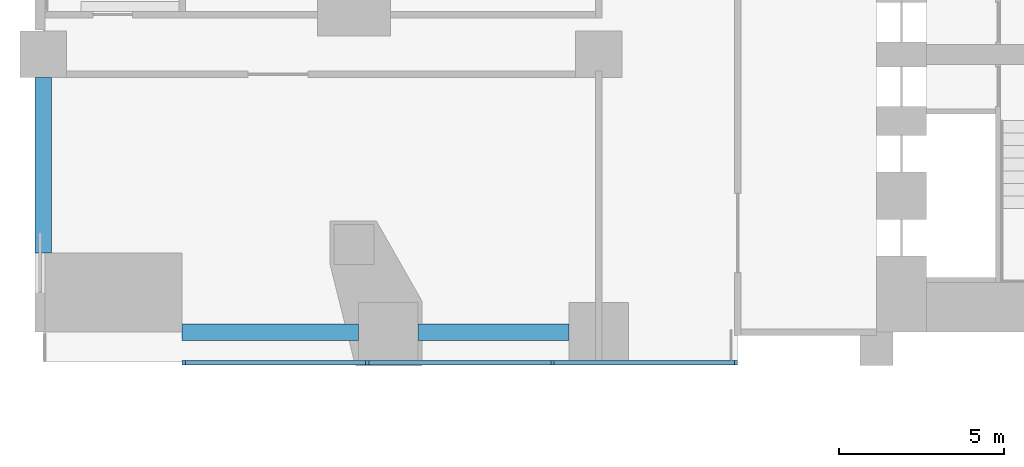
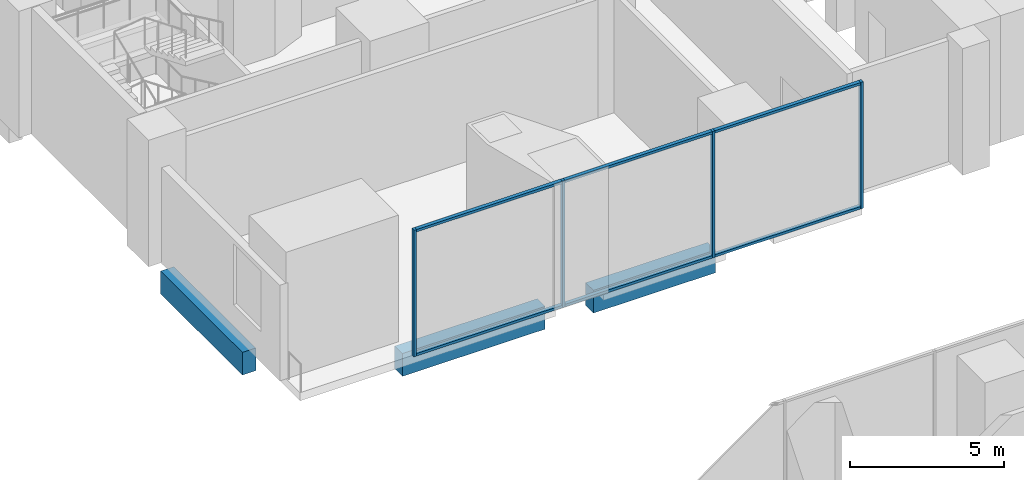
# One storey, part 3 of 24: 10 members, 3 beams, 1 element without a shape of its own.
"""IFC4 building model written with IfcOpenShell, lengths in metres."""

import ifcopenshell
import ifcopenshell.guid

model = None  # the IFC model being written
_history = None  # IfcOwnerHistory: only IFC2X3 demands one
_inside = {}  # id of a spatial element -> (the spatial element, [elements in it])
_under = {}  # id of a project, library or spatial element -> (it, [spatial elements below it])
_declared = {}  # id of a project -> (the project, [libraries it declares])
_typed = {}  # id of a type object -> (the type object, [elements of that type])
_made_of = {}  # id of a material, layer set ... -> (it, [elements and type objects made of it])


def new_model(schema):
    """Start an empty IFC model of exactly this schema.

    Asked for "IFC4X3", IfcOpenShell would pick the latest addendum, in which some entities
    have other attributes; the version numbers below select the first issue.
    IFC2X3 requires an IfcOwnerHistory on every rooted entity: one is made here for all.
    """
    global model, _history
    if schema == "IFC4X3":
        model = ifcopenshell.file(schema_version=(4, 3, 0, 0))
    else:
        model = ifcopenshell.file(schema=schema)
    _inside.clear()
    _under.clear()
    _declared.clear()
    _typed.clear()
    _made_of.clear()
    _history = None
    if model.schema == "IFC2X3":
        org = make("IfcOrganization", Name="unknown")
        user = make(
            "IfcPersonAndOrganization",
            ThePerson=make("IfcPerson", FamilyName="unknown"),
            TheOrganization=org,
        )
        app = make(
            "IfcApplication",
            ApplicationDeveloper=org,
            Version="unknown",
            ApplicationFullName="unknown",
            ApplicationIdentifier="unknown",
        )
        _history = make(
            "IfcOwnerHistory",
            OwningUser=user,
            OwningApplication=app,
            ChangeAction="ADDED",
            CreationDate=0,
        )
    return model


def make(cls, **values):
    """One entity of the class cls with the attributes given. An attribute that is None is left unset."""
    return model.create_entity(
        cls, **{name: value for name, value in values.items() if value is not None}
    )


def rooted(cls, **values):
    """An entity with a GlobalId (a new one), such as an element, a storey or a relation."""
    return make(cls, GlobalId=ifcopenshell.guid.new(), OwnerHistory=_history, **values)


def si_unit(unit_type, name, prefix=None):
    """IfcSIUnit, for example si_unit("LENGTHUNIT", "METRE", prefix="MILLI")."""
    return make("IfcSIUnit", UnitType=unit_type, Prefix=prefix, Name=name)


def assignment(units):
    """IfcUnitAssignment: the units of a project."""
    return None if units is None else make("IfcUnitAssignment", Units=units)


def point(xyz):
    """IfcCartesianPoint."""
    return None if xyz is None else make("IfcCartesianPoint", Coordinates=xyz)


def direction(xyz):
    """IfcDirection."""
    return None if xyz is None else make("IfcDirection", DirectionRatios=xyz)


def frame(location, z_axis=None, x_axis=None):
    """IfcAxis2Placement3D, a coordinate frame: its origin and axes. An axis left out is left unset."""
    return make(
        "IfcAxis2Placement3D",
        Location=point(location),
        Axis=direction(z_axis),
        RefDirection=direction(x_axis),
    )


def frame_2d(location, x_axis=None):
    """IfcAxis2Placement2D, a coordinate frame in the plane: its origin and x axis."""
    return make(
        "IfcAxis2Placement2D", Location=point(location), RefDirection=direction(x_axis)
    )


def origin():
    """The frame at (0, 0, 0) with its axes left unset."""
    return frame((0.0, 0.0, 0.0))


def origin_2d():
    """The frame at (0, 0) in the plane with its x axis left unset."""
    return frame_2d((0.0, 0.0))


def place(relative_to, where):
    """IfcLocalPlacement: puts the frame where relative to a parent placement (None: the world)."""
    return make(
        "IfcLocalPlacement", PlacementRelTo=relative_to, RelativePlacement=where
    )


def context(
    kind, dimensions, precision=None, world=None, true_north=None, identifier=None
):
    """IfcGeometricRepresentationContext, for example the 3D "Model" context."""
    return make(
        "IfcGeometricRepresentationContext",
        ContextIdentifier=identifier,
        ContextType=kind,
        CoordinateSpaceDimension=dimensions,
        Precision=precision,
        WorldCoordinateSystem=world,
        TrueNorth=true_north,
    )


def subcontext(parent, identifier, kind, view, scale=None):
    """IfcGeometricRepresentationSubContext, for example "Body" below "Model"."""
    return make(
        "IfcGeometricRepresentationSubContext",
        ContextIdentifier=identifier,
        ContextType=kind,
        ParentContext=parent,
        TargetScale=scale,
        TargetView=view,
    )


def project(units=None, contexts=None):
    """IfcProject with its units and contexts."""
    return rooted(
        "IfcProject",
        Name="project",
        RepresentationContexts=contexts,
        UnitsInContext=assignment(units),
    )


def spatial(cls, under=None, at=None, **own):
    """A site, building, storey or space (cls), placed at a placement, below another one or the project."""
    s = rooted(cls, ObjectPlacement=at, **own)
    if under is not None:
        _under.setdefault(under.id(), (under, []))[1].append(s)
    return s


def profile(cls, at=None, kind="AREA", **sizes):
    """A parametric profile (cls). Its sizes go by their IFC names, for example OverallWidth=200.0."""
    return make(cls, ProfileType=kind, Position=at, **sizes)


def rectangle(**sizes):
    """IfcRectangleProfileDef."""
    return profile("IfcRectangleProfileDef", **sizes)


def extrude(swept, where, along, depth):
    """IfcExtrudedAreaSolid: the profile swept, set in the frame where, extruded along a direction by depth."""
    return make(
        "IfcExtrudedAreaSolid",
        SweptArea=swept,
        Position=where,
        ExtrudedDirection=direction(along),
        Depth=depth,
    )


def shape(context_of_items, identifier, shape_type, items):
    """IfcShapeRepresentation: the items that make up one representation, for example the "Body"."""
    return make(
        "IfcShapeRepresentation",
        ContextOfItems=context_of_items,
        RepresentationIdentifier=identifier,
        RepresentationType=shape_type,
        Items=items,
    )


def material(Name=None, Category=None):
    """IfcMaterial."""
    return make("IfcMaterial", Name=Name, Category=Category)


def layer(
    of_material, thickness, ventilated=None, Name=None, Category=None, Priority=None
):
    """IfcMaterialLayer: one layer of a wall or slab, of a material (None: an air gap)."""
    return make(
        "IfcMaterialLayer",
        Material=of_material,
        LayerThickness=thickness,
        IsVentilated=ventilated,
        Name=Name,
        Category=Category,
        Priority=Priority,
    )


def layer_set(layers, Name=None):
    """IfcMaterialLayerSet."""
    return make("IfcMaterialLayerSet", MaterialLayers=layers, LayerSetName=Name)


def material_profile(
    of_material, cross_section, Name=None, Category=None, Priority=None
):
    """IfcMaterialProfile: a cross section and its material."""
    return make(
        "IfcMaterialProfile",
        Name=Name,
        Material=of_material,
        Profile=cross_section,
        Priority=Priority,
        Category=Category,
    )


def profile_set(profiles, Name=None, composite=None):
    """IfcMaterialProfileSet."""
    return make(
        "IfcMaterialProfileSet",
        Name=Name,
        MaterialProfiles=profiles,
        CompositeProfile=composite,
    )


def made_of(thing, what):
    """Note that an element or type object is made of a material, layer set ...; save() writes the relation."""
    if what is not None:
        _made_of.setdefault(what.id(), (what, []))[1].append(thing)
    return thing


def type_object(cls, material=None, **own):
    """A type object (cls), such as IfcWallType, which elements share."""
    return made_of(rooted(cls, **own), material)


def element(
    cls,
    number,
    at=None,
    inside=None,
    cuts=None,
    type_object=None,
    material=None,
    context=None,
    identifier="Body",
    shape_type=None,
    held_by="IfcProductDefinitionShape",
    body=None,
    shapes=None,
    **own,
):
    """One element of the class cls, such as IfcWall. Its Tag is "e" and its number.

    at: its placement. inside: the storey or other place that contains it. cuts: it is an
    opening in that element (IfcRelVoidsElement). A single representation is given by context,
    identifier, shape_type and body (its items); several are given by shapes. held_by: the class
    of the entity that holds the representations. save() writes the other relations.
    """
    e = rooted(cls, Tag="e%d" % number, ObjectPlacement=at, **own)
    if body is not None:
        shapes = [shape(context, identifier, shape_type, body)]
    if shapes is not None:
        e.Representation = make(held_by, Representations=shapes)
    if inside is not None:
        _inside.setdefault(inside.id(), (inside, []))[1].append(e)
    if cuts is not None:
        rooted(
            "IfcRelVoidsElement", RelatingBuildingElement=cuts, RelatedOpeningElement=e
        )
    if type_object is not None:
        _typed.setdefault(type_object.id(), (type_object, []))[1].append(e)
    return made_of(e, material)


def aggregate(whole, parts):
    """IfcRelAggregates: a whole, such as a stair, and the parts it consists of."""
    return rooted("IfcRelAggregates", RelatingObject=whole, RelatedObjects=parts)


def save(model, path):
    """Write the relations noted so far, then the file.

    IfcRelAggregates (storeys below a building ...), IfcRelContainedInSpatialStructure (elements
    in a storey), IfcRelDefinesByType, IfcRelAssociatesMaterial and IfcRelDeclares: one each for
    every whole, place, type object, material and project.
    """
    for whole, parts in _under.values():
        aggregate(whole, parts)
    for where, things in _inside.values():
        rooted(
            "IfcRelContainedInSpatialStructure",
            RelatedElements=things,
            RelatingStructure=where,
        )
    for kind, things in _typed.values():
        rooted("IfcRelDefinesByType", RelatedObjects=things, RelatingType=kind)
    for what, things in _made_of.values():
        rooted("IfcRelAssociatesMaterial", RelatedObjects=things, RelatingMaterial=what)
    for by, libraries in _declared.values():
        rooted("IfcRelDeclares", RelatingContext=by, RelatedDefinitions=libraries)
    model.write(path)


model = new_model("IFC4")

# Units and contexts
model_context = context("Model", 3, precision=1e-05, world=origin(), true_north=direction((0.0, 1.0)))
body_context = subcontext(model_context, "Body", "Model", "MODEL_VIEW")
ifc_project = project(units=[si_unit("LENGTHUNIT", "METRE"), si_unit("AREAUNIT", "SQUARE_METRE"), si_unit("VOLUMEUNIT", "CUBIC_METRE"), si_unit("PLANEANGLEUNIT", "RADIAN"), si_unit("MASSUNIT", "GRAM", prefix="KILO")], contexts=[model_context])

# Site, building, storey
site_placement = place(None, origin())
site = spatial("IfcSite", under=ifc_project, at=site_placement, CompositionType="ELEMENT")
building_placement = place(site_placement, origin())
building = spatial("IfcBuilding", under=site, at=building_placement, Name="Marenta Gate Hotel Tower", CompositionType="ELEMENT")
storey_placement = place(building_placement, frame((0.0, 0.0, 8.0)))
storey = spatial("IfcBuildingStorey", under=building, at=storey_placement, Name="L01", CompositionType="ELEMENT", Elevation=8.0)

# Curtain wall, members
ifc_material_1 = material(Name="Tinted insulated glass in bronze anodised frame", Category="glass")
ifc_layer = layer(ifc_material_1, 0.139892578125)
ifc_layer_set = layer_set([ifc_layer], Name="Tinted insulated glass in bronze anodised frame")
curtain_wall_type = type_object("IfcCurtainWallType", Name="Hotel lobby glazing CW6", PredefinedType="NOTDEFINED", material=ifc_layer_set)
curtain_wall_placement = place(storey_placement, origin())
curtain_wall = element("IfcCurtainWall", 1, at=curtain_wall_placement, inside=storey, type_object=curtain_wall_type, Name="CW6 run NB-S000", PredefinedType="NOTDEFINED")
ifc_material_2 = material(Name="Bronze anodised aluminium", Category="aluminium")
ifc_material_profile_1 = material_profile(ifc_material_2, rectangle(XDim=0.139892578125, YDim=0.10009765625, at=origin_2d()), Name="Mullion CW6 100x140 bronze anodised aluminium")
ifc_profile_set_1 = profile_set([ifc_material_profile_1], Name="Bronze anodised aluminium")
member_type_1 = type_object("IfcMemberType", Name="Mullion CW6 100x140 bronze anodised aluminium", PredefinedType="MULLION", material=ifc_profile_set_1)
member_1_placement = place(storey_placement, frame((-33.550048828125, -0.924072265625, 0.0), z_axis=(0.0, 0.0, 1.0), x_axis=(0.0, 1.0, 0.0)))
member_1 = element("IfcMember", 2, at=member_1_placement, type_object=member_type_1, Name="CW6 mullion 1", PredefinedType="MULLION", context=body_context, shape_type="SweptSolid", body=[
    extrude(rectangle(XDim=0.139892578125, YDim=0.10009765625, at=origin_2d()), origin(), (0.0, 0.0, 1.0), 5.0),
])
member_2_placement = place(storey_placement, frame((-28.0, -0.924072265625, 0.0), z_axis=(0.0, 0.0, 1.0), x_axis=(0.0, 1.0, 0.0)))
member_2 = element("IfcMember", 3, at=member_2_placement, type_object=member_type_1, Name="CW6 mullion 2", PredefinedType="MULLION", context=body_context, shape_type="SweptSolid", body=[
    extrude(rectangle(XDim=0.139892578125, YDim=0.10009765625, at=origin_2d()), origin(), (0.0, 0.0, 1.0), 5.0),
])
member_3_placement = place(storey_placement, frame((-22.39990234375, -0.924072265625, 0.0), z_axis=(0.0, 0.0, 1.0), x_axis=(0.0, 1.0, 0.0)))
member_3 = element("IfcMember", 4, at=member_3_placement, type_object=member_type_1, Name="CW6 mullion 3", PredefinedType="MULLION", context=body_context, shape_type="SweptSolid", body=[
    extrude(rectangle(XDim=0.139892578125, YDim=0.10009765625, at=origin_2d()), origin(), (0.0, 0.0, 1.0), 5.0),
])
member_4_placement = place(storey_placement, frame((-16.85009765625, -0.924072265625, 0.0), z_axis=(0.0, 0.0, 1.0), x_axis=(0.0, 1.0, 0.0)))
member_4 = element("IfcMember", 5, at=member_4_placement, type_object=member_type_1, Name="CW6 mullion 4", PredefinedType="MULLION", context=body_context, shape_type="SweptSolid", body=[
    extrude(rectangle(XDim=0.139892578125, YDim=0.10009765625, at=origin_2d()), origin(), (0.0, 0.0, 1.0), 5.0),
])

# Beams
ifc_material_3 = material(Name="Concrete C60", Category="concrete")
ifc_material_profile_2 = material_profile(ifc_material_3, rectangle(XDim=0.5, YDim=0.89990234375, at=origin_2d()), Name="500 x 900")
ifc_profile_set_2 = profile_set([ifc_material_profile_2], Name="Concrete C60")
beam_type = type_object("IfcBeamType", Name="Podium edge beam 500 x 900 C60", PredefinedType="BEAM", material=ifc_profile_set_2)
beam_1_placement = place(storey_placement, frame((-33.60009765625, 0.0, -0.77001953125), z_axis=(1.0, 0.0, 0.0), x_axis=(0.0, 1.0, 0.0)))
element("IfcBeam", 6, at=beam_1_placement, inside=storey, type_object=beam_type, Name="L01-PBM-22", PredefinedType="BEAM", context=body_context, shape_type="SweptSolid", body=[
    extrude(rectangle(XDim=0.5, YDim=0.89990234375, at=origin_2d()), origin(), (0.0, 0.0, 1.0), 5.337158203125),
])
beam_2_placement = place(storey_placement, frame((-26.462890625, 0.0, -0.77001953125), z_axis=(1.0, 0.0, 0.0), x_axis=(0.0, 1.0, 0.0)))
element("IfcBeam", 7, at=beam_2_placement, inside=storey, type_object=beam_type, Name="L01-PBM-23", PredefinedType="BEAM", context=body_context, shape_type="SweptSolid", body=[
    extrude(rectangle(XDim=0.5, YDim=0.89990234375, at=origin_2d()), origin(), (0.0, 0.0, 1.0), 4.56298828125),
])
beam_3_placement = place(storey_placement, frame((-37.800048828125, 7.699951171875, -0.77001953125), z_axis=(0.0, -1.0, 0.0), x_axis=(1.0, 0.0, 0.0)))
element("IfcBeam", 8, at=beam_3_placement, inside=storey, type_object=beam_type, Name="L01-PBM-43", PredefinedType="BEAM", context=body_context, shape_type="SweptSolid", body=[
    extrude(rectangle(XDim=0.5, YDim=0.89990234375, at=origin_2d()), origin(), (0.0, 0.0, 1.0), 5.300048828125),
])

# Member
ifc_material_4 = material(Name="Bronze anodised aluminium", Category="aluminium")
ifc_material_profile_3 = material_profile(ifc_material_4, rectangle(XDim=0.139892578125, YDim=0.10009765625, at=origin_2d()), Name="Transom CW6 100x140 bronze anodised aluminium")
ifc_profile_set_3 = profile_set([ifc_material_profile_3], Name="Bronze anodised aluminium")
member_type_2 = type_object("IfcMemberType", Name="Transom CW6 100x140 bronze anodised aluminium", PredefinedType="USERDEFINED", material=ifc_profile_set_3)
member_5_placement = place(storey_placement, frame((-33.5, -0.924072265625, 0.050048828125), z_axis=(1.0, 0.0, 0.0), x_axis=(0.0, 1.0, 0.0)))
member_5 = element("IfcMember", 9, at=member_5_placement, type_object=member_type_2, Name="CW6 transom 1.1", ObjectType="TRANSOM", PredefinedType="USERDEFINED", context=body_context, shape_type="SweptSolid", body=[
    extrude(rectangle(XDim=0.139892578125, YDim=0.10009765625, at=origin_2d()), origin(), (0.0, 0.0, 1.0), 5.449951171875),
])

member_6_placement = place(storey_placement, frame((-33.5, -0.924072265625, 4.949951171875), z_axis=(1.0, 0.0, 0.0), x_axis=(0.0, 1.0, 0.0)))
member_6 = element("IfcMember", 10, at=member_6_placement, type_object=member_type_2, Name="CW6 transom 1.2", ObjectType="TRANSOM", PredefinedType="USERDEFINED", context=body_context, shape_type="SweptSolid", body=[
    extrude(rectangle(XDim=0.139892578125, YDim=0.10009765625, at=origin_2d()), origin(), (0.0, 0.0, 1.0), 5.449951171875),
])

member_7_placement = place(storey_placement, frame((-27.949951171875, -0.924072265625, 0.050048828125), z_axis=(1.0, 0.0, 0.0), x_axis=(0.0, 1.0, 0.0)))
member_7 = element("IfcMember", 11, at=member_7_placement, type_object=member_type_2, Name="CW6 transom 2.1", ObjectType="TRANSOM", PredefinedType="USERDEFINED", context=body_context, shape_type="SweptSolid", body=[
    extrude(rectangle(XDim=0.139892578125, YDim=0.10009765625, at=origin_2d()), origin(), (0.0, 0.0, 1.0), 5.5),
])

member_8_placement = place(storey_placement, frame((-27.949951171875, -0.924072265625, 4.949951171875), z_axis=(1.0, 0.0, 0.0), x_axis=(0.0, 1.0, 0.0)))
member_8 = element("IfcMember", 12, at=member_8_placement, type_object=member_type_2, Name="CW6 transom 2.2", ObjectType="TRANSOM", PredefinedType="USERDEFINED", context=body_context, shape_type="SweptSolid", body=[
    extrude(rectangle(XDim=0.139892578125, YDim=0.10009765625, at=origin_2d()), origin(), (0.0, 0.0, 1.0), 5.5),
])

member_9_placement = place(storey_placement, frame((-22.35009765625, -0.924072265625, 0.050048828125), z_axis=(1.0, 0.0, 0.0), x_axis=(0.0, 1.0, 0.0)))
member_9 = element("IfcMember", 13, at=member_9_placement, type_object=member_type_2, Name="CW6 transom 3.1", ObjectType="TRANSOM", PredefinedType="USERDEFINED", context=body_context, shape_type="SweptSolid", body=[
    extrude(rectangle(XDim=0.139892578125, YDim=0.10009765625, at=origin_2d()), origin(), (0.0, 0.0, 1.0), 5.4501953125),
])

member_10_placement = place(storey_placement, frame((-22.35009765625, -0.924072265625, 4.949951171875), z_axis=(1.0, 0.0, 0.0), x_axis=(0.0, 1.0, 0.0)))
member_10 = element("IfcMember", 14, at=member_10_placement, type_object=member_type_2, Name="CW6 transom 3.2", ObjectType="TRANSOM", PredefinedType="USERDEFINED", context=body_context, shape_type="SweptSolid", body=[
    extrude(rectangle(XDim=0.139892578125, YDim=0.10009765625, at=origin_2d()), origin(), (0.0, 0.0, 1.0), 5.4501953125),
])

aggregate(curtain_wall, [member_1, member_2, member_3, member_4, member_5, member_6, member_7, member_8, member_9, member_10])

save(model, "model.ifc")
